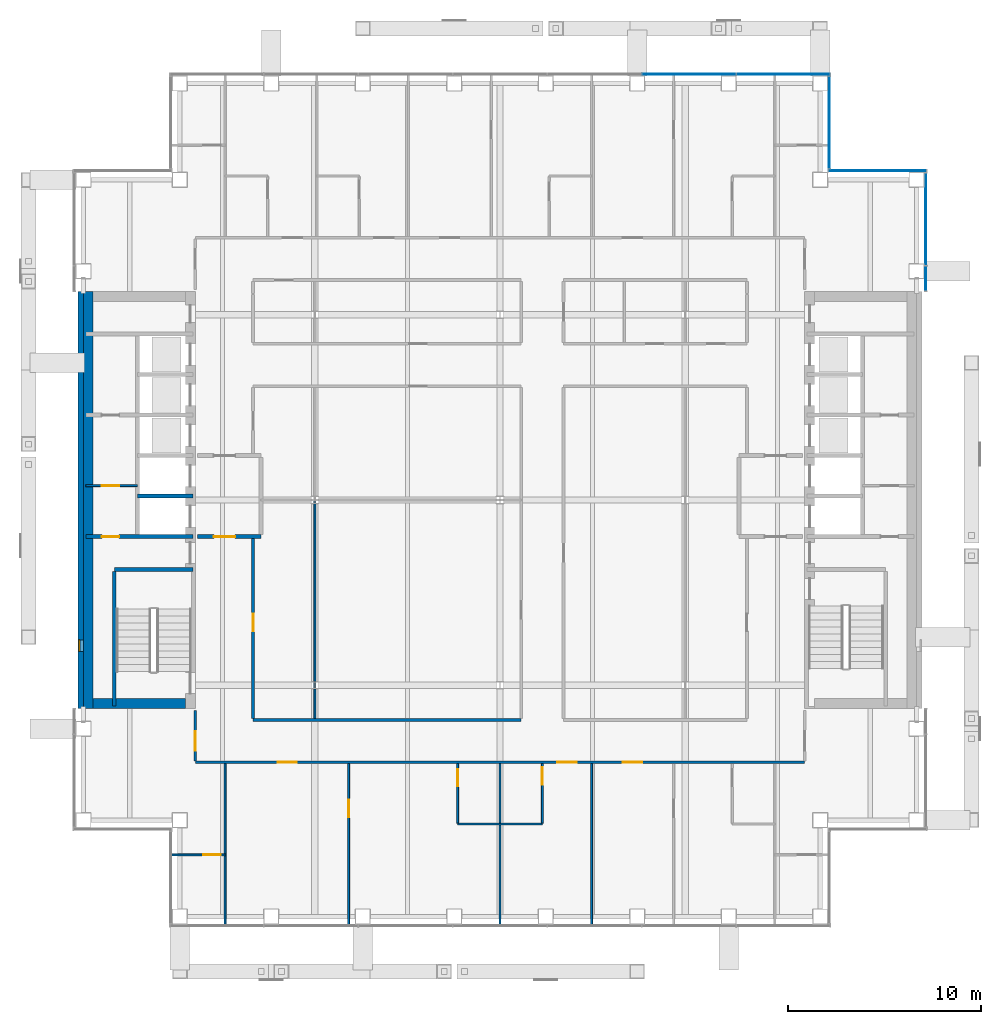
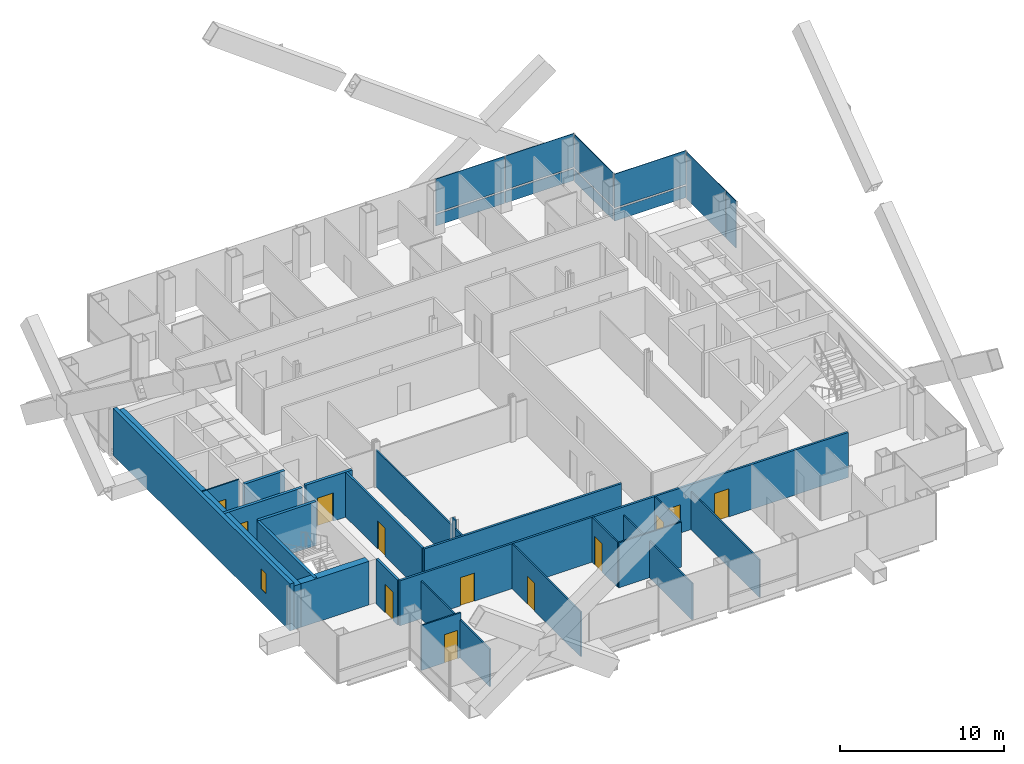
# One storey, part 12 of 18: 25 walls, 12 doors, 10 plates, 1 window, 13 openings, 4 elements without a shape of their own.
"""IFC4 building model written with IfcOpenShell, lengths in metres."""

from ifc_helpers import new_model, si_unit, direction, frame, frame_2d, origin, origin_2d, place, context, subcontext, project, spatial, rectangle, extrude, material, layer, layer_set, type_object, element, fill, aggregate, save


model = new_model("IFC4")

# Units and contexts
model_context = context("Model", 3, precision=1e-05, world=origin(), true_north=direction((0.0, 1.0)))
body_context = subcontext(model_context, "Body", "Model", "MODEL_VIEW")
ifc_project = project(units=[si_unit("LENGTHUNIT", "METRE"), si_unit("AREAUNIT", "SQUARE_METRE"), si_unit("VOLUMEUNIT", "CUBIC_METRE"), si_unit("PLANEANGLEUNIT", "RADIAN"), si_unit("MASSUNIT", "GRAM", prefix="KILO")], contexts=[model_context])

# Site, building, storey
site_placement = place(None, origin())
site = spatial("IfcSite", under=ifc_project, at=site_placement, CompositionType="ELEMENT")
building_placement = place(site_placement, origin())
building = spatial("IfcBuilding", under=site, at=building_placement, Name="Cobrizo Arcos Hotel Tower", CompositionType="ELEMENT")
storey_placement = place(building_placement, frame((0.0, 0.0, 165.5)))
storey = spatial("IfcBuildingStorey", under=building, at=storey_placement, Name="L42", CompositionType="ELEMENT", Elevation=165.5)

# Curtain wall, plate
ifc_material_1 = material(Name="Aluminium 6063-T6 anodised bronze", Category="aluminium")
curtain_wall_type = type_object("IfcCurtainWallType", Name="CW-A guest facade", PredefinedType="NOTDEFINED", material=ifc_material_1)
curtain_wall_1_placement = place(storey_placement, origin())
curtain_wall_1 = element("IfcCurtainWall", 1, at=curtain_wall_1_placement, inside=storey, type_object=curtain_wall_type, Name="CW-A L42 N face", PredefinedType="NOTDEFINED")
ifc_material_2 = material(Name="Glass clear laminated low-e", Category="glass")
ifc_layer_1 = layer(ifc_material_2, 0.0400390625)
ifc_layer_set_1 = layer_set([ifc_layer_1], Name="CW-A glass panel")
plate_type_1 = type_object("IfcPlateType", Name="CW-A glass panel", PredefinedType="CURTAIN_PANEL", material=ifc_layer_set_1)
plate_1_placement = place(storey_placement, frame((19.574951171875, 17.074951171875, 0.990234375), z_axis=(0.0, 0.0, 1.0), x_axis=(-1.0, 0.0, 0.0)))
plate_1 = element("IfcPlate", 2, at=plate_1_placement, type_object=plate_type_1, Name="CW-A glass panel 1499", PredefinedType="CURTAIN_PANEL", context=body_context, shape_type="SweptSolid", body=[
    extrude(rectangle(XDim=5.030029296875, YDim=0.0400390625, at=origin_2d()), origin(), (0.0, 0.0, 1.0), 2.510009765625),
])

curtain_wall_2_placement = place(storey_placement, origin())
curtain_wall_2 = element("IfcCurtainWall", 3, at=curtain_wall_2_placement, inside=storey, type_object=curtain_wall_type, Name="CW-A L42 E face", PredefinedType="NOTDEFINED")
plate_2_placement = place(storey_placement, frame((17.074951171875, 19.574951171875, 0.990234375), z_axis=(0.0, 0.0, 1.0), x_axis=(0.0, 1.0, 0.0)))
plate_2 = element("IfcPlate", 4, at=plate_2_placement, type_object=plate_type_1, Name="CW-A glass panel 1500", PredefinedType="CURTAIN_PANEL", context=body_context, shape_type="SweptSolid", body=[
    extrude(rectangle(XDim=4.72998046875, YDim=0.0400390625, at=origin_2d()), origin(), (0.0, 0.0, 1.0), 2.510009765625),
])

# Curtain wall, plates
curtain_wall_3_placement = place(storey_placement, origin())
curtain_wall_3 = element("IfcCurtainWall", 5, at=curtain_wall_3_placement, inside=storey, type_object=curtain_wall_type, Name="CW-A L42 N face", PredefinedType="NOTDEFINED")
plate_3_placement = place(storey_placement, frame((14.68505859375, 22.074951171875, 0.990234375), z_axis=(0.0, 0.0, 1.0), x_axis=(-1.0, 0.0, 0.0)))
plate_3 = element("IfcPlate", 6, at=plate_3_placement, type_object=plate_type_1, Name="CW-A glass panel 1501", PredefinedType="CURTAIN_PANEL", context=body_context, shape_type="SweptSolid", body=[
    extrude(rectangle(XDim=4.81005859375, YDim=0.0400390625, at=origin_2d()), origin(), (0.0, 0.0, 1.0), 2.510009765625),
])
plate_4_placement = place(storey_placement, frame((9.800048828125, 22.074951171875, 0.990234375), z_axis=(0.0, 0.0, 1.0), x_axis=(-1.0, 0.0, 0.0)))
plate_4 = element("IfcPlate", 7, at=plate_4_placement, type_object=plate_type_1, Name="CW-A glass panel 1502", PredefinedType="CURTAIN_PANEL", context=body_context, shape_type="SweptSolid", body=[
    extrude(rectangle(XDim=4.840087890625, YDim=0.0400390625, at=origin_2d()), origin(), (0.0, 0.0, 1.0), 2.510009765625),
])

curtain_wall_4_placement = place(storey_placement, origin())
curtain_wall_4 = element("IfcCurtainWall", 8, at=curtain_wall_4_placement, inside=storey, type_object=curtain_wall_type, Name="CW-A L42 E face", PredefinedType="NOTDEFINED")
ifc_material_3 = material(Name="Aluminium composite panel pale metal", Category="aluminium")
ifc_layer_2 = layer(ifc_material_3, 0.0400390625)
ifc_layer_set_2 = layer_set([ifc_layer_2], Name="CW-A spandrel panel")
plate_type_2 = type_object("IfcPlateType", Name="CW-A spandrel panel", PredefinedType="CURTAIN_PANEL", material=ifc_layer_set_2)
plate_5_placement = place(storey_placement, frame((22.074951171875, 11.486328125, 0.0), z_axis=(0.0, 0.0, 1.0), x_axis=(0.0, 1.0, 0.0)))
plate_5 = element("IfcPlate", 9, at=plate_5_placement, type_object=plate_type_2, Name="CW-A spandrel panel 1497", PredefinedType="CURTAIN_PANEL", context=body_context, shape_type="SweptSolid", body=[
    extrude(rectangle(XDim=1.2529296875, YDim=0.0400390625, at=origin_2d()), origin(), (0.0, 0.0, 1.0), 3.5),
])
plate_6_placement = place(storey_placement, frame((22.074951171875, 14.556396484375, 0.0), z_axis=(0.0, 0.0, 1.0), x_axis=(0.0, 1.0, 0.0)))
plate_6 = element("IfcPlate", 10, at=plate_6_placement, type_object=plate_type_2, Name="CW-A spandrel panel 1498", PredefinedType="CURTAIN_PANEL", context=body_context, shape_type="SweptSolid", body=[
    extrude(rectangle(XDim=4.76708984375, YDim=0.0400390625, at=origin_2d()), origin(), (0.0, 0.0, 1.0), 3.5),
])
aggregate(curtain_wall_4, [plate_5, plate_6])

# Plate
plate_7_placement = place(storey_placement, frame((19.574951171875, 17.074951171875, 0.0), z_axis=(0.0, 0.0, 1.0), x_axis=(-1.0, 0.0, 0.0)))
plate_7 = element("IfcPlate", 11, at=plate_7_placement, type_object=plate_type_2, Name="CW-A spandrel panel 1499", PredefinedType="CURTAIN_PANEL", context=body_context, shape_type="SweptSolid", body=[
    extrude(rectangle(XDim=5.030029296875, YDim=0.0400390625, at=origin_2d()), origin(), (0.0, 0.0, 1.0), 0.8701171875),
])

aggregate(curtain_wall_1, [plate_7, plate_1])

plate_8_placement = place(storey_placement, frame((17.074951171875, 19.574951171875, 0.0), z_axis=(0.0, 0.0, 1.0), x_axis=(0.0, 1.0, 0.0)))
plate_8 = element("IfcPlate", 12, at=plate_8_placement, type_object=plate_type_2, Name="CW-A spandrel panel 1500", PredefinedType="CURTAIN_PANEL", context=body_context, shape_type="SweptSolid", body=[
    extrude(rectangle(XDim=4.72998046875, YDim=0.0400390625, at=origin_2d()), origin(), (0.0, 0.0, 1.0), 0.8701171875),
])

aggregate(curtain_wall_2, [plate_8, plate_2])

plate_9_placement = place(storey_placement, frame((14.68505859375, 22.074951171875, 0.0), z_axis=(0.0, 0.0, 1.0), x_axis=(-1.0, 0.0, 0.0)))
plate_9 = element("IfcPlate", 13, at=plate_9_placement, type_object=plate_type_2, Name="CW-A spandrel panel 1501", PredefinedType="CURTAIN_PANEL", context=body_context, shape_type="SweptSolid", body=[
    extrude(rectangle(XDim=4.81005859375, YDim=0.0400390625, at=origin_2d()), origin(), (0.0, 0.0, 1.0), 0.8701171875),
])

plate_10_placement = place(storey_placement, frame((9.800048828125, 22.074951171875, 0.0), z_axis=(0.0, 0.0, 1.0), x_axis=(-1.0, 0.0, 0.0)))
plate_10 = element("IfcPlate", 14, at=plate_10_placement, type_object=plate_type_2, Name="CW-A spandrel panel 1502", PredefinedType="CURTAIN_PANEL", context=body_context, shape_type="SweptSolid", body=[
    extrude(rectangle(XDim=4.840087890625, YDim=0.0400390625, at=origin_2d()), origin(), (0.0, 0.0, 1.0), 0.8701171875),
])

aggregate(curtain_wall_3, [plate_9, plate_3, plate_10, plate_4])

# Wall, openings, doors
ifc_material_4 = material(Name="Gypsum board partition")
ifc_layer_3 = layer(ifc_material_4, 0.14990234375)
ifc_layer_set_3 = layer_set([ifc_layer_3], Name="Corridor wall EI 60 150")
wall_type_1 = type_object("IfcWallType", Name="Corridor wall EI 60 150", PredefinedType="PARTITIONING", material=ifc_layer_set_3)
wall_1_placement = place(storey_placement, frame((-15.800048828125, -13.60009765625, 0.0), z_axis=(0.0, 0.0, 1.0), x_axis=(1.0, 0.0, 0.0)))
wall_1 = element("IfcWall", 15, at=wall_1_placement, inside=storey, type_object=wall_type_1, Name="Partition 005", PredefinedType="PARTITIONING", context=body_context, shape_type="SweptSolid", body=[
    extrude(rectangle(XDim=31.60009765625, YDim=0.14990234375, at=frame_2d((15.800048828125, 0.0))), origin(), (0.0, 0.0, 1.0), 3.35009765625),
])
opening_1_placement = place(wall_1_placement, frame((4.27294921875, 0.0, 0.0)))
opening_1 = element("IfcOpeningElement", 16, at=opening_1_placement, cuts=wall_1, Name="Opening GD-05", PredefinedType="OPENING", context=body_context, shape_type="SweptSolid", body=[
    extrude(rectangle(XDim=1.0, YDim=2.10009765625, at=frame_2d((0.5, 1.050048828125))), frame((0.0, 0.0869140625, 0.0), z_axis=(0.0, -1.0, 0.0), x_axis=(1.0, 0.0, 0.0)), (0.0, 0.0, 1.0), 0.173828125),
])
opening_2_placement = place(wall_1_placement, frame((18.77099609375, 0.0, 0.0)))
opening_2 = element("IfcOpeningElement", 17, at=opening_2_placement, cuts=wall_1, Name="Opening GD-06", PredefinedType="OPENING", context=body_context, shape_type="SweptSolid", body=[
    extrude(rectangle(XDim=1.0, YDim=2.10009765625, at=frame_2d((0.5, 1.050048828125))), frame((0.0, 0.0869140625, 0.0), z_axis=(0.0, -1.0, 0.0), x_axis=(1.0, 0.0, 0.0)), (0.0, 0.0, 1.0), 0.173828125),
])
opening_3_placement = place(wall_1_placement, frame((22.177978515625, 0.0, 0.0)))
opening_3 = element("IfcOpeningElement", 18, at=opening_3_placement, cuts=wall_1, Name="Opening GD-07", PredefinedType="OPENING", context=body_context, shape_type="SweptSolid", body=[
    extrude(rectangle(XDim=1.0, YDim=2.10009765625, at=frame_2d((0.5, 1.050048828125))), frame((0.0, 0.0869140625, 0.0), z_axis=(0.0, -1.0, 0.0), x_axis=(1.0, 0.0, 0.0)), (0.0, 0.0, 1.0), 0.173828125),
])
ifc_material_5 = material(Name="Timber door leaf", Category="wood")
door_type_1 = type_object("IfcDoorType", Name="Guest room door FD30S 1000x2100", OperationType="SINGLE_SWING_LEFT", PredefinedType="DOOR", material=ifc_material_5)
door_1_placement = place(opening_1_placement, origin())
door_1 = element("IfcDoor", 19, at=door_1_placement, inside=storey, type_object=door_type_1, Name="Door GD-05", OperationType="SINGLE_SWING_RIGHT", OverallHeight=2.10009765625, OverallWidth=1.0, PredefinedType="DOOR", context=body_context, shape_type="SweptSolid", body=[
    extrude(rectangle(XDim=1.0, YDim=2.10009765625, at=frame_2d((0.5, 1.050048828125))), frame((0.0, 0.02490234375, 0.0), z_axis=(0.0, -1.0, 0.0), x_axis=(1.0, 0.0, 0.0)), (0.0, 0.0, 1.0), 0.050048828125),
])
fill(opening_1, door_1)
door_2_placement = place(opening_2_placement, origin())
door_2 = element("IfcDoor", 20, at=door_2_placement, inside=storey, type_object=door_type_1, Name="Door GD-06", OperationType="SINGLE_SWING_LEFT", OverallHeight=2.10009765625, OverallWidth=1.0, PredefinedType="DOOR", context=body_context, shape_type="SweptSolid", body=[
    extrude(rectangle(XDim=1.0, YDim=2.10009765625, at=frame_2d((0.5, 1.050048828125))), frame((0.0, 0.02490234375, 0.0), z_axis=(0.0, -1.0, 0.0), x_axis=(1.0, 0.0, 0.0)), (0.0, 0.0, 1.0), 0.050048828125),
])
fill(opening_2, door_2)
door_3_placement = place(opening_3_placement, origin())
door_3 = element("IfcDoor", 21, at=door_3_placement, inside=storey, type_object=door_type_1, Name="Door GD-07", OperationType="SINGLE_SWING_LEFT", OverallHeight=2.10009765625, OverallWidth=1.0, PredefinedType="DOOR", context=body_context, shape_type="SweptSolid", body=[
    extrude(rectangle(XDim=1.0, YDim=2.10009765625, at=frame_2d((0.5, 1.050048828125))), frame((0.0, 0.02490234375, 0.0), z_axis=(0.0, -1.0, 0.0), x_axis=(1.0, 0.0, 0.0)), (0.0, 0.0, 1.0), 0.050048828125),
])
fill(opening_3, door_3)

# Wall
wall_2_placement = place(storey_placement, frame((-12.800048828125, -11.39990234375, 0.0), z_axis=(0.0, 0.0, 1.0), x_axis=(1.0, 0.0, 0.0)))
element("IfcWall", 22, at=wall_2_placement, inside=storey, type_object=wall_type_1, Name="Partition 006", PredefinedType="PARTITIONING", context=body_context, shape_type="SweptSolid", body=[
    extrude(rectangle(XDim=13.900146484375, YDim=0.14990234375, at=frame_2d((6.9501953125, 0.0))), origin(), (0.0, 0.0, 1.0), 3.35009765625),
])

# Wall, opening, door
wall_3_placement = place(storey_placement, frame((-15.800048828125, -13.52490234375, 0.0), z_axis=(0.0, 0.0, 1.0), x_axis=(0.0, 1.0, 0.0)))
wall_3 = element("IfcWall", 23, at=wall_3_placement, inside=storey, type_object=wall_type_1, Name="Partition 050", PredefinedType="PARTITIONING", context=body_context, shape_type="SweptSolid", body=[
    extrude(rectangle(XDim=2.60498046875, YDim=0.14990234375, at=frame_2d((1.302490234375, 0.0))), origin(), (0.0, 0.0, 1.0), 3.35009765625),
])
opening_4_placement = place(wall_3_placement, frame((0.52490234375, 0.0, 0.0)))
opening_4 = element("IfcOpeningElement", 24, at=opening_4_placement, cuts=wall_3, Name="Opening GD-08", PredefinedType="OPENING", context=body_context, shape_type="SweptSolid", body=[
    extrude(rectangle(XDim=1.0, YDim=2.10009765625, at=frame_2d((0.5, 1.050048828125))), frame((0.0, 0.0869140625, 0.0), z_axis=(0.0, -1.0, 0.0), x_axis=(1.0, 0.0, 0.0)), (0.0, 0.0, 1.0), 0.173828125),
])
door_4_placement = place(opening_4_placement, origin())
door_4 = element("IfcDoor", 25, at=door_4_placement, inside=storey, type_object=door_type_1, Name="Door GD-08", OperationType="SINGLE_SWING_LEFT", OverallHeight=2.10009765625, OverallWidth=1.0, PredefinedType="DOOR", context=body_context, shape_type="SweptSolid", body=[
    extrude(rectangle(XDim=1.0, YDim=2.10009765625, at=frame_2d((0.5, 1.050048828125))), frame((0.0, 0.02490234375, 0.0), z_axis=(0.0, -1.0, 0.0), x_axis=(1.0, 0.0, 0.0)), (0.0, 0.0, 1.0), 0.050048828125),
])
fill(opening_4, door_4)

wall_4_placement = place(storey_placement, frame((-12.800048828125, -11.324951171875, 0.0), z_axis=(0.0, 0.0, 1.0), x_axis=(0.0, 1.0, 0.0)))
wall_4 = element("IfcWall", 26, at=wall_4_placement, inside=storey, type_object=wall_type_1, Name="Partition 054", PredefinedType="PARTITIONING", context=body_context, shape_type="SweptSolid", body=[
    extrude(rectangle(XDim=9.324951171875, YDim=0.14990234375, at=frame_2d((4.66259765625, 0.0))), origin(), (0.0, 0.0, 1.0), 3.35009765625),
])
opening_5_placement = place(wall_4_placement, frame((4.52490234375, 0.0, 0.0)))
opening_5 = element("IfcOpeningElement", 27, at=opening_5_placement, cuts=wall_4, Name="Opening RD-17", PredefinedType="OPENING", context=body_context, shape_type="SweptSolid", body=[
    extrude(rectangle(XDim=0.89990234375, YDim=2.10009765625, at=frame_2d((0.449951171875, 1.050048828125))), frame((0.0, 0.0869140625, 0.0), z_axis=(0.0, -1.0, 0.0), x_axis=(1.0, 0.0, 0.0)), (0.0, 0.0, 1.0), 0.173828125),
])
door_type_2 = type_object("IfcDoorType", Name="Room door FD30 900x2100", OperationType="SINGLE_SWING_LEFT", PredefinedType="DOOR", material=ifc_material_5)
door_5_placement = place(opening_5_placement, origin())
door_5 = element("IfcDoor", 28, at=door_5_placement, inside=storey, type_object=door_type_2, Name="Door RD-17", OperationType="SINGLE_SWING_LEFT", OverallHeight=2.10009765625, OverallWidth=0.89990234375, PredefinedType="DOOR", context=body_context, shape_type="SweptSolid", body=[
    extrude(rectangle(XDim=0.89990234375, YDim=2.10009765625, at=frame_2d((0.449951171875, 1.050048828125))), frame((0.0, 0.02490234375, 0.0), z_axis=(0.0, -1.0, 0.0), x_axis=(1.0, 0.0, 0.0)), (0.0, 0.0, 1.0), 0.050048828125),
])
fill(opening_5, door_5)

# Wall, opening, window
ifc_layer_4 = layer(ifc_material_3, 0.27490234375)
ifc_layer_set_4 = layer_set([ifc_layer_4], Name="EW-1 insulated panel wall 275")
wall_type_2 = type_object("IfcWallType", Name="EW-1 insulated panel wall 275", PredefinedType="SOLIDWALL", material=ifc_layer_set_4)
wall_5_placement = place(storey_placement, frame((-21.737548828125, 10.800048828125, 0.0), z_axis=(0.0, 0.0, 1.0), x_axis=(0.0, -1.0, 0.0)))
wall_5 = element("IfcWall", 29, at=wall_5_placement, inside=storey, type_object=wall_type_2, Name="Core face wall L42 W", PredefinedType="SOLIDWALL", context=body_context, shape_type="SweptSolid", body=[
    extrude(rectangle(XDim=21.60009765625, YDim=0.27490234375, at=frame_2d((10.800048828125, 0.0))), origin(), (0.0, 0.0, 1.0), 3.5),
])
opening_6_placement = place(wall_5_placement, frame((18.050048828125, 0.0, 1.0)))
opening_6 = element("IfcOpeningElement", 30, at=opening_6_placement, cuts=wall_5, Name="Opening W-92", PredefinedType="OPENING", context=body_context, shape_type="SweptSolid", body=[
    extrude(rectangle(XDim=0.60009765625, YDim=1.5, at=frame_2d((0.300048828125, 0.75))), frame((0.0, 0.1494140625, 0.0), z_axis=(0.0, -1.0, 0.0), x_axis=(1.0, 0.0, 0.0)), (0.0, 0.0, 1.0), 0.298828125),
])
ifc_material_6 = material(Name="Aluminium 6063-T6 and clear laminated glass", Category="aluminium")
window_type = type_object("IfcWindowType", Name="W-C1 core stair slot window 600x1500", PartitioningType="SINGLE_PANEL", PredefinedType="WINDOW", material=ifc_material_6)
window_placement = place(opening_6_placement, origin())
window = element("IfcWindow", 31, at=window_placement, inside=storey, type_object=window_type, Name="Core face wall L42 W window W-92", OverallHeight=1.5, OverallWidth=0.60009765625, PartitioningType="SINGLE_PANEL", PredefinedType="WINDOW", context=body_context, shape_type="SweptSolid", body=[
    extrude(rectangle(XDim=0.60009765625, YDim=1.5, at=frame_2d((0.300048828125, 0.75))), frame((0.0, -0.04736328125, 0.0), z_axis=(0.0, -1.0, 0.0), x_axis=(1.0, 0.0, 0.0)), (0.0, 0.0, 1.0), 0.06005859375),
])
fill(opening_6, window)

# Wall, opening, door
ifc_layer_5 = layer(ifc_material_4, 0.10009765625)
ifc_layer_set_5 = layer_set([ifc_layer_5], Name="Partition EI 30 100")
wall_type_3 = type_object("IfcWallType", Name="Partition EI 30 100", PredefinedType="PARTITIONING", material=ifc_layer_set_5)
wall_6_placement = place(storey_placement, frame((-17.030029296875, -18.39990234375, 0.0), z_axis=(0.0, 0.0, 1.0), x_axis=(1.0, 0.0, 0.0)))
wall_6 = element("IfcWall", 32, at=wall_6_placement, inside=storey, type_object=wall_type_3, Name="Partition 001", PredefinedType="PARTITIONING", context=body_context, shape_type="SweptSolid", body=[
    extrude(rectangle(XDim=2.780029296875, YDim=0.10009765625, at=frame_2d((1.39013671875, 0.0))), origin(), (0.0, 0.0, 1.0), 3.35009765625),
])
opening_7_placement = place(wall_6_placement, frame((1.639892578125, 0.0, 0.0)))
opening_7 = element("IfcOpeningElement", 33, at=opening_7_placement, cuts=wall_6, Name="Opening ED-08", PredefinedType="OPENING", context=body_context, shape_type="SweptSolid", body=[
    extrude(rectangle(XDim=0.89990234375, YDim=2.10009765625, at=frame_2d((0.449951171875, 1.050048828125))), frame((0.0, 0.06201171875, 0.0), z_axis=(0.0, -1.0, 0.0), x_axis=(1.0, 0.0, 0.0)), (0.0, 0.0, 1.0), 0.1240234375),
])
door_type_3 = type_object("IfcDoorType", Name="En-suite door 900x2100", OperationType="SINGLE_SWING_LEFT", PredefinedType="DOOR", material=ifc_material_5)
door_6_placement = place(opening_7_placement, origin())
door_6 = element("IfcDoor", 34, at=door_6_placement, inside=storey, type_object=door_type_3, Name="Door ED-08", OperationType="SINGLE_SWING_LEFT", OverallHeight=2.10009765625, OverallWidth=0.89990234375, PredefinedType="DOOR", context=body_context, shape_type="SweptSolid", body=[
    extrude(rectangle(XDim=0.89990234375, YDim=2.10009765625, at=frame_2d((0.449951171875, 1.050048828125))), frame((0.0, 0.02490234375, 0.0), z_axis=(0.0, -1.0, 0.0), x_axis=(1.0, 0.0, 0.0)), (0.0, 0.0, 1.0), 0.050048828125),
])
fill(opening_7, door_6)

# Wall
wall_7_placement = place(storey_placement, frame((-2.199951171875, -16.800048828125, 0.0), z_axis=(0.0, 0.0, 1.0), x_axis=(1.0, 0.0, 0.0)))
element("IfcWall", 35, at=wall_7_placement, inside=storey, type_object=wall_type_3, Name="Partition 003", PredefinedType="PARTITIONING", context=body_context, shape_type="SweptSolid", body=[
    extrude(rectangle(XDim=4.39990234375, YDim=0.10009765625, at=frame_2d((2.199951171875, 0.0))), origin(), (0.0, 0.0, 1.0), 3.35009765625),
])

# Wall, opening, door
wall_8_placement = place(storey_placement, frame((-21.47998046875, 0.75, 0.0), z_axis=(0.0, 0.0, 1.0), x_axis=(1.0, 0.0, 0.0)))
wall_8 = element("IfcWall", 36, at=wall_8_placement, inside=storey, type_object=wall_type_3, Name="Partition 021", PredefinedType="PARTITIONING", context=body_context, shape_type="SweptSolid", body=[
    extrude(rectangle(XDim=2.679931640625, YDim=0.10009765625, at=frame_2d((1.33984375, 0.0))), origin(), (0.0, 0.0, 1.0), 3.25),
])
opening_8_placement = place(wall_8_placement, frame((0.830078125, 0.0, 0.0)))
opening_8 = element("IfcOpeningElement", 37, at=opening_8_placement, cuts=wall_8, Name="Opening RD-03", PredefinedType="OPENING", context=body_context, shape_type="SweptSolid", body=[
    extrude(rectangle(XDim=0.89990234375, YDim=2.10009765625, at=frame_2d((0.449951171875, 1.050048828125))), frame((0.0, 0.06201171875, 0.0), z_axis=(0.0, -1.0, 0.0), x_axis=(1.0, 0.0, 0.0)), (0.0, 0.0, 1.0), 0.1240234375),
])
door_7_placement = place(opening_8_placement, origin())
door_7 = element("IfcDoor", 38, at=door_7_placement, inside=storey, type_object=door_type_2, Name="Door RD-03", OperationType="SINGLE_SWING_LEFT", OverallHeight=2.10009765625, OverallWidth=0.89990234375, PredefinedType="DOOR", context=body_context, shape_type="SweptSolid", body=[
    extrude(rectangle(XDim=0.89990234375, YDim=2.10009765625, at=frame_2d((0.449951171875, 1.050048828125))), frame((0.0, 0.02490234375, 0.0), z_axis=(0.0, -1.0, 0.0), x_axis=(1.0, 0.0, 0.0)), (0.0, 0.0, 1.0), 0.050048828125),
])
fill(opening_8, door_7)

# Walls
wall_9_placement = place(storey_placement, frame((-14.25, -22.030029296875, 0.0), z_axis=(0.0, 0.0, 1.0), x_axis=(0.0, 1.0, 0.0)))
element("IfcWall", 39, at=wall_9_placement, inside=storey, type_object=wall_type_3, Name="Partition 052", PredefinedType="PARTITIONING", context=body_context, shape_type="SweptSolid", body=[
    extrude(rectangle(XDim=8.35498046875, YDim=0.10009765625, at=frame_2d((4.177490234375, 0.0))), origin(), (0.0, 0.0, 1.0), 2.81689453125),
])
wall_10_placement = place(storey_placement, frame((-9.60009765625, -11.324951171875, 0.0), z_axis=(0.0, 0.0, 1.0), x_axis=(0.0, 1.0, 0.0)))
element("IfcWall", 40, at=wall_10_placement, inside=storey, type_object=wall_type_3, Name="Partition 060", PredefinedType="PARTITIONING", context=body_context, shape_type="SweptSolid", body=[
    extrude(rectangle(XDim=1.537841796875, YDim=0.10009765625, at=frame_2d((0.76904296875, 0.0))), origin(), (0.0, 0.0, 1.0), 2.72802734375),
])
wall_11_placement = place(storey_placement, frame((-9.60009765625, -9.787109375, 0.0), z_axis=(0.0, 0.0, 1.0), x_axis=(0.0, 1.0, 0.0)))
element("IfcWall", 41, at=wall_11_placement, inside=storey, type_object=wall_type_3, Name="Partition 061", PredefinedType="PARTITIONING", context=body_context, shape_type="SweptSolid", body=[
    extrude(rectangle(XDim=0.3740234375, YDim=0.10009765625, at=frame_2d((0.18701171875, 0.0))), origin(), (0.0, 0.0, 1.0), 3.35009765625),
])
wall_12_placement = place(storey_placement, frame((-9.60009765625, -9.4130859375, 0.0), z_axis=(0.0, 0.0, 1.0), x_axis=(0.0, 1.0, 0.0)))
element("IfcWall", 42, at=wall_12_placement, inside=storey, type_object=wall_type_3, Name="Partition 062", PredefinedType="PARTITIONING", context=body_context, shape_type="SweptSolid", body=[
    extrude(rectangle(XDim=9.363037109375, YDim=0.10009765625, at=frame_2d((4.681640625, 0.0))), origin(), (0.0, 0.0, 1.0), 2.72802734375),
])

# Wall, opening, door
wall_13_placement = place(storey_placement, frame((-7.85009765625, -22.030029296875, 0.0), z_axis=(0.0, 0.0, 1.0), x_axis=(0.0, 1.0, 0.0)))
wall_13 = element("IfcWall", 43, at=wall_13_placement, inside=storey, type_object=wall_type_3, Name="Partition 068", PredefinedType="PARTITIONING", context=body_context, shape_type="SweptSolid", body=[
    extrude(rectangle(XDim=8.35498046875, YDim=0.10009765625, at=frame_2d((4.177490234375, 0.0))), origin(), (0.0, 0.0, 1.0), 3.35009765625),
])
opening_9_placement = place(wall_13_placement, frame((5.580078125, 0.0, 0.0)))
opening_9 = element("IfcOpeningElement", 44, at=opening_9_placement, cuts=wall_13, Name="Opening RD-11", PredefinedType="OPENING", context=body_context, shape_type="SweptSolid", body=[
    extrude(rectangle(XDim=0.89990234375, YDim=2.10009765625, at=frame_2d((0.449951171875, 1.050048828125))), frame((0.0, 0.06201171875, 0.0), z_axis=(0.0, -1.0, 0.0), x_axis=(1.0, 0.0, 0.0)), (0.0, 0.0, 1.0), 0.1240234375),
])
door_8_placement = place(opening_9_placement, origin())
door_8 = element("IfcDoor", 45, at=door_8_placement, inside=storey, type_object=door_type_2, Name="Door RD-11", OperationType="SINGLE_SWING_LEFT", OverallHeight=2.10009765625, OverallWidth=0.89990234375, PredefinedType="DOOR", context=body_context, shape_type="SweptSolid", body=[
    extrude(rectangle(XDim=0.89990234375, YDim=2.10009765625, at=frame_2d((0.449951171875, 1.050048828125))), frame((0.0, 0.02490234375, 0.0), z_axis=(0.0, -1.0, 0.0), x_axis=(1.0, 0.0, 0.0)), (0.0, 0.0, 1.0), 0.050048828125),
])
fill(opening_9, door_8)

wall_14_placement = place(storey_placement, frame((-2.199951171875, -16.75, 0.0), z_axis=(0.0, 0.0, 1.0), x_axis=(0.0, 1.0, 0.0)))
wall_14 = element("IfcWall", 46, at=wall_14_placement, inside=storey, type_object=wall_type_3, Name="Partition 071", PredefinedType="PARTITIONING", context=body_context, shape_type="SweptSolid", body=[
    extrude(rectangle(XDim=3.074951171875, YDim=0.10009765625, at=frame_2d((1.53759765625, 0.0))), origin(), (0.0, 0.0, 1.0), 3.35009765625),
])
opening_10_placement = place(wall_14_placement, frame((1.89990234375, 0.0, 0.0)))
opening_10 = element("IfcOpeningElement", 47, at=opening_10_placement, cuts=wall_14, Name="Opening ED-05", PredefinedType="OPENING", context=body_context, shape_type="SweptSolid", body=[
    extrude(rectangle(XDim=0.89990234375, YDim=2.10009765625, at=frame_2d((0.449951171875, 1.050048828125))), frame((0.0, 0.06201171875, 0.0), z_axis=(0.0, -1.0, 0.0), x_axis=(1.0, 0.0, 0.0)), (0.0, 0.0, 1.0), 0.1240234375),
])
door_9_placement = place(opening_10_placement, origin())
door_9 = element("IfcDoor", 48, at=door_9_placement, inside=storey, type_object=door_type_3, Name="Door ED-05", OperationType="SINGLE_SWING_LEFT", OverallHeight=2.10009765625, OverallWidth=0.89990234375, PredefinedType="DOOR", context=body_context, shape_type="SweptSolid", body=[
    extrude(rectangle(XDim=0.89990234375, YDim=2.10009765625, at=frame_2d((0.449951171875, 1.050048828125))), frame((0.0, 0.02490234375, 0.0), z_axis=(0.0, -1.0, 0.0), x_axis=(1.0, 0.0, 0.0)), (0.0, 0.0, 1.0), 0.050048828125),
])
fill(opening_10, door_9)

# Walls
wall_15_placement = place(storey_placement, frame((0.0, -22.030029296875, 0.0), z_axis=(0.0, 0.0, 1.0), x_axis=(0.0, 1.0, 0.0)))
element("IfcWall", 49, at=wall_15_placement, inside=storey, type_object=wall_type_3, Name="Partition 073", PredefinedType="PARTITIONING", context=body_context, shape_type="SweptSolid", body=[
    extrude(rectangle(XDim=5.179931640625, YDim=0.10009765625, at=frame_2d((2.58984375, 0.0))), origin(), (0.0, 0.0, 1.0), 2.72802734375),
])
wall_16_placement = place(storey_placement, frame((0.0, -16.75, 0.0), z_axis=(0.0, 0.0, 1.0), x_axis=(0.0, 1.0, 0.0)))
element("IfcWall", 50, at=wall_16_placement, inside=storey, type_object=wall_type_3, Name="Partition 074", PredefinedType="PARTITIONING", context=body_context, shape_type="SweptSolid", body=[
    extrude(rectangle(XDim=3.074951171875, YDim=0.10009765625, at=frame_2d((1.53759765625, 0.0))), origin(), (0.0, 0.0, 1.0), 2.72802734375),
])

# Wall, opening, door
wall_17_placement = place(storey_placement, frame((2.199951171875, -16.75, 0.0), z_axis=(0.0, 0.0, 1.0), x_axis=(0.0, 1.0, 0.0)))
wall_17 = element("IfcWall", 51, at=wall_17_placement, inside=storey, type_object=wall_type_3, Name="Partition 077", PredefinedType="PARTITIONING", context=body_context, shape_type="SweptSolid", body=[
    extrude(rectangle(XDim=3.074951171875, YDim=0.10009765625, at=frame_2d((1.53759765625, 0.0))), origin(), (0.0, 0.0, 1.0), 3.35009765625),
])
opening_11_placement = place(wall_17_placement, frame((1.99609375, 0.0, 0.0)))
opening_11 = element("IfcOpeningElement", 52, at=opening_11_placement, cuts=wall_17, Name="Opening ED-06", PredefinedType="OPENING", context=body_context, shape_type="SweptSolid", body=[
    extrude(rectangle(XDim=0.89990234375, YDim=2.10009765625, at=frame_2d((0.449951171875, 1.050048828125))), frame((0.0, 0.06201171875, 0.0), z_axis=(0.0, -1.0, 0.0), x_axis=(1.0, 0.0, 0.0)), (0.0, 0.0, 1.0), 0.1240234375),
])
door_10_placement = place(opening_11_placement, origin())
door_10 = element("IfcDoor", 53, at=door_10_placement, inside=storey, type_object=door_type_3, Name="Door ED-06", OperationType="SINGLE_SWING_RIGHT", OverallHeight=2.10009765625, OverallWidth=0.89990234375, PredefinedType="DOOR", context=body_context, shape_type="SweptSolid", body=[
    extrude(rectangle(XDim=0.89990234375, YDim=2.10009765625, at=frame_2d((0.449951171875, 1.050048828125))), frame((0.0, 0.02490234375, 0.0), z_axis=(0.0, -1.0, 0.0), x_axis=(1.0, 0.0, 0.0)), (0.0, 0.0, 1.0), 0.050048828125),
])
fill(opening_11, door_10)

# Walls
wall_18_placement = place(storey_placement, frame((4.75, -22.030029296875, 0.0), z_axis=(0.0, 0.0, 1.0), x_axis=(0.0, 1.0, 0.0)))
element("IfcWall", 54, at=wall_18_placement, inside=storey, type_object=wall_type_3, Name="Partition 081", PredefinedType="PARTITIONING", context=body_context, shape_type="SweptSolid", body=[
    extrude(rectangle(XDim=8.35498046875, YDim=0.10009765625, at=frame_2d((4.177490234375, 0.0))), origin(), (0.0, 0.0, 1.0), 2.81689453125),
])
ifc_material_7 = material(Name="Concrete f'c 50 MPa", Category="concrete")
ifc_layer_6 = layer(ifc_material_7, 0.5)
ifc_layer_set_6 = layer_set([ifc_layer_6], Name="RC core wall 500 f'c 50")
wall_type_4 = type_object("IfcWallType", Name="RC core wall 500 f'c 50", PredefinedType="SHEAR", material=ifc_layer_set_6)
wall_19_placement = place(storey_placement, frame((-21.35009765625, -10.800048828125, 0.0), z_axis=(0.0, 0.0, 1.0), x_axis=(0.0, 1.0, 0.0)))
element("IfcWall", 55, at=wall_19_placement, inside=storey, type_object=wall_type_4, Name="Core wall CW3, west core, outer face, L42", PredefinedType="SHEAR", context=body_context, shape_type="SweptSolid", body=[
    extrude(rectangle(XDim=21.60009765625, YDim=0.5, at=frame_2d((10.800048828125, 0.0))), origin(), (0.0, 0.0, 1.0), 3.25),
])
wall_20_placement = place(storey_placement, frame((-21.10009765625, -10.550048828125, 0.0), z_axis=(0.0, 0.0, 1.0), x_axis=(1.0, 0.0, 0.0)))
element("IfcWall", 56, at=wall_20_placement, inside=storey, type_object=wall_type_4, Name="Core wall CW3, west core, south end, L42", PredefinedType="SHEAR", context=body_context, shape_type="SweptSolid", body=[
    extrude(rectangle(XDim=4.800048828125, YDim=0.5, at=frame_2d((2.39990234375, 0.0))), origin(), (0.0, 0.0, 1.0), 3.25),
])

# Wall, opening, door
ifc_layer_7 = layer(ifc_material_4, 0.199951171875)
ifc_layer_set_7 = layer_set([ifc_layer_7], Name="Shaft wall EI 120 200")
wall_type_5 = type_object("IfcWallType", Name="Shaft wall EI 120 200", PredefinedType="PARTITIONING", material=ifc_layer_set_7)
wall_21_placement = place(storey_placement, frame((-21.47998046875, -1.89990234375, 0.0), z_axis=(0.0, 0.0, 1.0), x_axis=(1.0, 0.0, 0.0)))
wall_21 = element("IfcWall", 57, at=wall_21_placement, inside=storey, type_object=wall_type_5, Name="Partition 010", PredefinedType="PARTITIONING", context=body_context, shape_type="SweptSolid", body=[
    extrude(rectangle(XDim=5.56005859375, YDim=0.199951171875, at=frame_2d((2.780029296875, 0.0))), origin(), (0.0, 0.0, 1.0), 3.25),
])
opening_12_placement = place(wall_21_placement, frame((0.830078125, 0.0, 0.0)))
opening_12 = element("IfcOpeningElement", 58, at=opening_12_placement, cuts=wall_21, Name="Opening RD-02", PredefinedType="OPENING", context=body_context, shape_type="SweptSolid", body=[
    extrude(rectangle(XDim=0.89990234375, YDim=2.10009765625, at=frame_2d((0.449951171875, 1.050048828125))), frame((0.0, 0.112060546875, 0.0), z_axis=(0.0, -1.0, 0.0), x_axis=(1.0, 0.0, 0.0)), (0.0, 0.0, 1.0), 0.223876953125),
])
door_11_placement = place(opening_12_placement, origin())
door_11 = element("IfcDoor", 59, at=door_11_placement, inside=storey, type_object=door_type_2, Name="Door RD-02", OperationType="SINGLE_SWING_RIGHT", OverallHeight=2.10009765625, OverallWidth=0.89990234375, PredefinedType="DOOR", context=body_context, shape_type="SweptSolid", body=[
    extrude(rectangle(XDim=0.89990234375, YDim=2.10009765625, at=frame_2d((0.449951171875, 1.050048828125))), frame((0.0, 0.02490234375, 0.0), z_axis=(0.0, -1.0, 0.0), x_axis=(1.0, 0.0, 0.0)), (0.0, 0.0, 1.0), 0.050048828125),
])
fill(opening_12, door_11)

wall_22_placement = place(storey_placement, frame((-15.679931640625, -1.89990234375, 0.0), z_axis=(0.0, 0.0, 1.0), x_axis=(1.0, 0.0, 0.0)))
wall_22 = element("IfcWall", 60, at=wall_22_placement, inside=storey, type_object=wall_type_5, Name="Partition 011", PredefinedType="PARTITIONING", context=body_context, shape_type="SweptSolid", body=[
    extrude(rectangle(XDim=3.280029296875, YDim=0.199951171875, at=frame_2d((1.64013671875, 0.0))), origin(), (0.0, 0.0, 1.0), 3.35009765625),
])
opening_13_placement = place(wall_22_placement, frame((0.840087890625, 0.0, 0.0)))
opening_13 = element("IfcOpeningElement", 61, at=opening_13_placement, cuts=wall_22, Name="Opening FD-03", PredefinedType="OPENING", context=body_context, shape_type="SweptSolid", body=[
    extrude(rectangle(XDim=1.10009765625, YDim=2.10009765625, at=frame_2d((0.550048828125, 1.050048828125))), frame((0.0, 0.112060546875, 0.0), z_axis=(0.0, -1.0, 0.0), x_axis=(1.0, 0.0, 0.0)), (0.0, 0.0, 1.0), 0.223876953125),
])
ifc_material_8 = material(Name="Steel door leaf", Category="steel")
door_type_4 = type_object("IfcDoorType", Name="Fire door FD60 1100x2100", OperationType="SINGLE_SWING_LEFT", PredefinedType="DOOR", material=ifc_material_8)
door_12_placement = place(opening_13_placement, origin())
door_12 = element("IfcDoor", 62, at=door_12_placement, inside=storey, type_object=door_type_4, Name="Door FD-03", OperationType="SINGLE_SWING_RIGHT", OverallHeight=2.10009765625, OverallWidth=1.10009765625, PredefinedType="DOOR", context=body_context, shape_type="SweptSolid", body=[
    extrude(rectangle(XDim=1.10009765625, YDim=2.10009765625, at=frame_2d((0.550048828125, 1.050048828125))), frame((0.0, 0.02490234375, 0.0), z_axis=(0.0, -1.0, 0.0), x_axis=(1.0, 0.0, 0.0)), (0.0, 0.0, 1.0), 0.050048828125),
])
fill(opening_13, door_12)

# Walls
wall_23_placement = place(storey_placement, frame((-18.800048828125, 0.199951171875, 0.0), z_axis=(0.0, 0.0, 1.0), x_axis=(1.0, 0.0, 0.0)))
element("IfcWall", 63, at=wall_23_placement, inside=storey, type_object=wall_type_5, Name="Partition 019", PredefinedType="PARTITIONING", context=body_context, shape_type="SweptSolid", body=[
    extrude(rectangle(XDim=2.880126953125, YDim=0.199951171875, at=frame_2d((1.43994140625, 0.0))), origin(), (0.0, 0.0, 1.0), 3.25),
])
ifc_material_9 = material(Name="Concrete f'c 40 MPa", Category="concrete")
ifc_layer_8 = layer(ifc_material_9, 0.199951171875)
ifc_layer_set_8 = layer_set([ifc_layer_8], Name="Stair shaft wall 200")
wall_type_6 = type_object("IfcWallType", Name="Stair shaft wall 200", PredefinedType="SHEAR", material=ifc_layer_set_8)
wall_24_placement = place(storey_placement, frame((-20.0, -3.60009765625, 0.0), z_axis=(0.0, 0.0, 1.0), x_axis=(1.0, 0.0, 0.0)))
element("IfcWall", 64, at=wall_24_placement, inside=storey, type_object=wall_type_6, Name="Stair shaft wall W", PredefinedType="SHEAR", context=body_context, shape_type="SweptSolid", body=[
    extrude(rectangle(XDim=4.080078125, YDim=0.199951171875, at=frame_2d((2.0400390625, 0.0))), origin(), (0.0, 0.0, 1.0), 3.25),
])
wall_25_placement = place(storey_placement, frame((-20.0, -10.679931640625, 0.0), z_axis=(0.0, 0.0, 1.0), x_axis=(0.0, 1.0, 0.0)))
element("IfcWall", 65, at=wall_25_placement, inside=storey, type_object=wall_type_6, Name="Stair shaft wall W", PredefinedType="SHEAR", context=body_context, shape_type="SweptSolid", body=[
    extrude(rectangle(XDim=6.97998046875, YDim=0.199951171875, at=frame_2d((3.489990234375, 0.0))), origin(), (0.0, 0.0, 1.0), 3.25),
])

save(model, "model.ifc")
